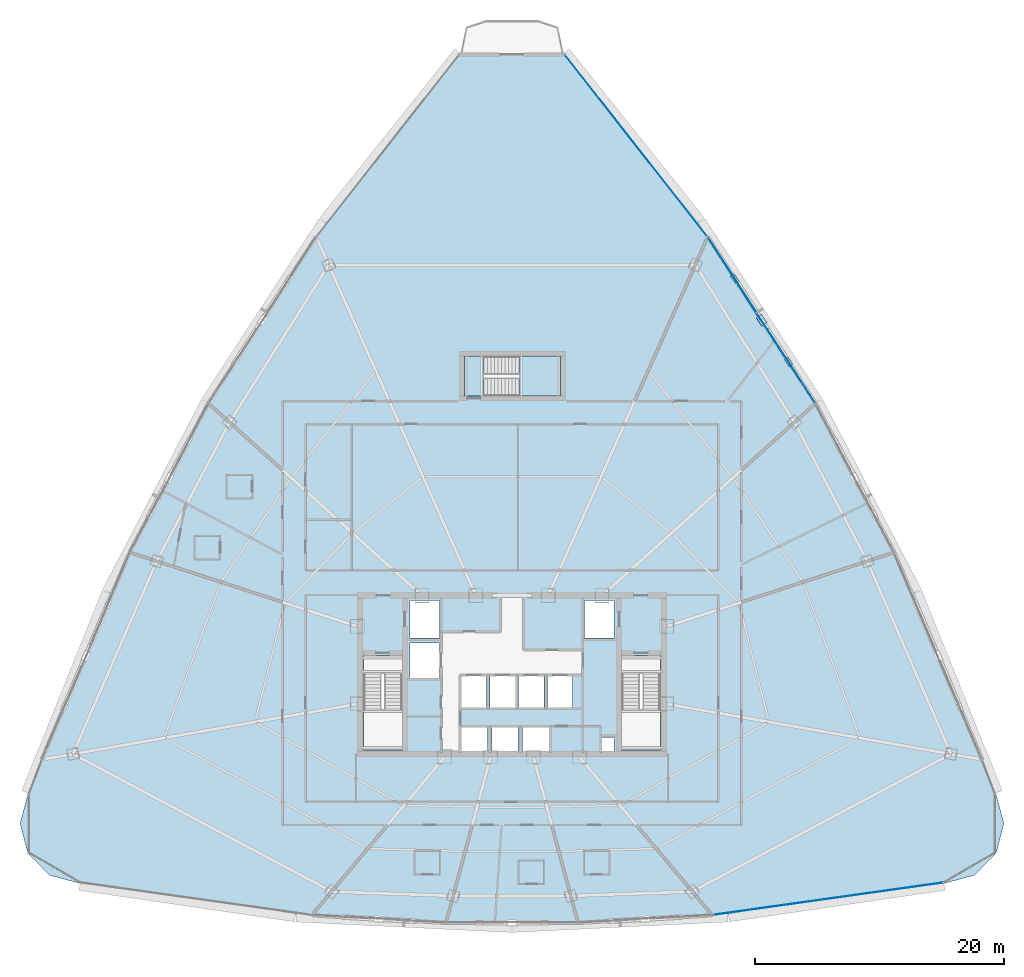
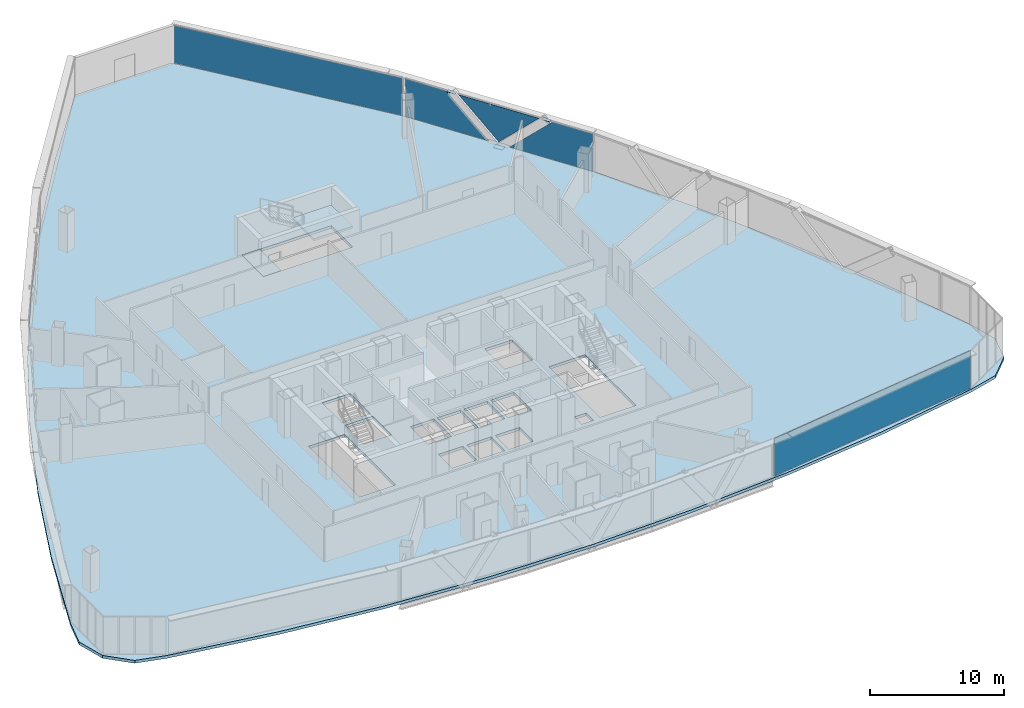
# One storey, part 29 of 40: 8 plates, 3 slabs, 4 elements without a shape of their own.
"""IFC4 building model written with IfcOpenShell, lengths in metres."""

from ifc_helpers import new_model, si_unit, direction, frame, origin, origin_2d, place, context, subcontext, project, spatial, polyline, rectangle, outline, extrude, source, transform, mapped, material, layer, layer_set, type_object, element, aggregate, save


model = new_model("IFC4")

# Units and contexts
model_context = context("Model", 3, precision=1e-05, world=origin(), true_north=direction((0.0, 1.0)))
body_context = subcontext(model_context, "Body", "Model", "MODEL_VIEW")
ifc_project = project(units=[si_unit("LENGTHUNIT", "METRE"), si_unit("AREAUNIT", "SQUARE_METRE"), si_unit("VOLUMEUNIT", "CUBIC_METRE"), si_unit("PLANEANGLEUNIT", "RADIAN"), si_unit("MASSUNIT", "GRAM", prefix="KILO"), si_unit("THERMODYNAMICTEMPERATUREUNIT", "KELVIN"), si_unit("POWERUNIT", "WATT")], contexts=[model_context])

# Site, building, storey
site_placement = place(None, origin())
site = spatial("IfcSite", under=ifc_project, at=site_placement, CompositionType="ELEMENT")
building_placement = place(site_placement, origin())
building = spatial("IfcBuilding", under=site, at=building_placement, Name="Yunzhuo Pagoda Commons", CompositionType="ELEMENT")
storey_placement = place(building_placement, frame((0.0, 0.0, 184.760009765625)))
storey = spatial("IfcBuildingStorey", under=building, at=storey_placement, Name="L46", CompositionType="ELEMENT", Elevation=184.760009765625)

# Curtain wall, plates
ifc_material_1 = material(Name="Anodized aluminium 6063-T6", Category="aluminium")
ifc_layer_1 = layer(ifc_material_1, 0.14990234375)
ifc_layer_set_1 = layer_set([ifc_layer_1], Name="Anodized aluminium 6063-T6")
curtain_wall_type = type_object("IfcCurtainWallType", Name="CW-MID Mid-Zone Ribbon Curtain Wall", PredefinedType="NOTDEFINED", material=ifc_layer_set_1)
curtain_wall_1_placement = place(storey_placement, origin())
curtain_wall_1 = element("IfcCurtainWall", 1, at=curtain_wall_1_placement, inside=storey, type_object=curtain_wall_type, Name="L46 curtain wall CW-L46-F2B4", PredefinedType="NOTDEFINED")
ifc_material_2 = material(Name="Tempered low-e double glazing", Category="glass")
ifc_layer_2 = layer(ifc_material_2, 0.028076171875)
ifc_layer_set_2 = layer_set([ifc_layer_2], Name="Tempered low-e double glazing")
plate_type_1 = type_object("IfcPlateType", Name="CW-MID-P Low-E Double Glazing 28", PredefinedType="CURTAIN_PANEL", material=ifc_layer_set_2)
plate_1_placement = place(storey_placement, frame((70.38720703125, 58.597412109375, 1.77001953125), z_axis=(0.839626850374, 0.543163651335, 0.0), x_axis=(-0.543163651335, 0.839626850374, 0.0)))
plate_1 = element("IfcPlate", 2, at=plate_1_placement, type_object=plate_type_1, Name="CW panel 1.1 lite 1", PredefinedType="CURTAIN_PANEL", context=body_context, shape_type="SweptSolid", body=[
    extrude(outline(polyline([(-3.505126953125, -1.715087890625), (3.505126953125, -1.715087890625), (-0.082763671875, 1.715087890625), (-3.505126953125, 1.715087890625), (-3.505126953125, -1.715087890625)])), origin(), (0.0, 0.0, 1.0), 0.028076171875),
])
plate_2_placement = place(storey_placement, frame((67.98046875, 62.2626953125, 1.87548828125), z_axis=(0.839626850374, 0.543163651335, 0.0), x_axis=(-0.543163651335, 0.839626850374, 0.0)))
plate_2 = element("IfcPlate", 3, at=plate_2_placement, type_object=plate_type_1, Name="CW panel 1.1 lite 2", PredefinedType="CURTAIN_PANEL", context=body_context, shape_type="SweptSolid", body=[
    extrude(outline(polyline([(-3.367431640625, 1.609619140625), (0.0, -1.609619140625), (3.367431640625, 1.609619140625), (-3.367431640625, 1.609619140625)])), origin(), (0.0, 0.0, 1.0), 0.028076171875),
])
plate_3_placement = place(storey_placement, frame((65.624267578125, 65.96044921875, 1.77001953125), z_axis=(0.839626850374, 0.543163651335, 0.0), x_axis=(-0.543163651335, 0.839626850374, 0.0)))
plate_3 = element("IfcPlate", 4, at=plate_3_placement, type_object=plate_type_1, Name="CW panel 1.1 lite 3", PredefinedType="CURTAIN_PANEL", context=body_context, shape_type="SweptSolid", body=[
    extrude(outline(polyline([(-3.505126953125, -1.715087890625), (3.505126953125, -1.715087890625), (3.505126953125, 1.715087890625), (0.082763671875, 1.715087890625), (-3.505126953125, -1.715087890625)])), origin(), (0.0, 0.0, 1.0), 0.028076171875),
])
aggregate(curtain_wall_1, [plate_1, plate_2, plate_3])

# Stair, slabs
ifc_material_3 = material(Name="Concrete C40", Category="concrete")
stair_type = type_object("IfcStairType", Name="ST-C3 North Tower Smokeproof Stair ST3", PredefinedType="HALF_TURN_STAIR", material=ifc_material_3)
stair_placement = place(storey_placement, origin())
stair = element("IfcStair", 5, at=stair_placement, inside=storey, type_object=stair_type, Name="L46 North tower smokeproof stair ST3", PredefinedType="HALF_TURN_STAIR")
ifc_layer_3 = layer(ifc_material_3, 0.2041015625)
ifc_layer_set_3 = layer_set([ifc_layer_3], Name="Concrete C40")
slab_type_1 = type_object("IfcSlabType", Name="SL-LND5 North Landing Slab 204", PredefinedType="LANDING", material=ifc_layer_set_3)
slab_1_placement = place(storey_placement, frame((0.0, 0.0, 1.699951171875)))
slab_1 = element("IfcSlab", 6, at=slab_1_placement, type_object=slab_type_1, Name="ST3 landing 1", PredefinedType="LANDING", context=body_context, shape_type="SweptSolid", body=[
    extrude(outline(polyline([(48.550048828125, 56.199951171875), (51.89990234375, 56.199951171875), (51.89990234375, 59.39990234375), (48.550048828125, 59.39990234375), (48.550048828125, 56.199951171875)])), origin(), (0.0, 0.0, 1.0), 0.199951171875),
])
slab_2_placement = place(storey_placement, frame((0.0, 0.0, -0.199951171875)))
slab_2 = element("IfcSlab", 7, at=slab_2_placement, type_object=slab_type_1, Name="ST3 floor landing L46", PredefinedType="LANDING", context=body_context, shape_type="SweptSolid", body=[
    extrude(outline(polyline([(44.199951171875, 56.199951171875), (45.75, 56.199951171875), (45.75, 59.39990234375), (44.199951171875, 59.39990234375), (44.199951171875, 56.199951171875)])), origin(), (0.0, 0.0, 1.0), 0.199951171875),
])
aggregate(stair, [slab_1, slab_2])

# Slab
ifc_layer_4 = layer(ifc_material_3, 0.260009765625)
ifc_layer_set_4 = layer_set([ifc_layer_4], Name="Concrete C40")
slab_type_2 = type_object("IfcSlabType", Name="SL-TWR Typical Tower Floor Slab 260", PredefinedType="FLOOR", material=ifc_layer_set_4)
slab_3_placement = place(storey_placement, frame((0.0, 0.0, -0.260009765625)))
element("IfcSlab", 8, at=slab_3_placement, inside=storey, type_object=slab_type_2, Name="L46 structural floor slab", PredefinedType="FLOOR", context=body_context, shape_type="SweptSolid", body=[
    extrude(outline(polyline([(12.25390625, 32.49609375), (15.67626953125, 40.45068359375), (19.462890625, 48.1923828125), (23.614013671875, 55.7216796875), (28.129150390625, 63.038330078125), (33.00830078125, 70.142333984375), (38.251953125, 77.03369140625), (43.859619140625, 83.712646484375), (52.140380859375, 83.712646484375), (57.748046875, 77.03369140625), (62.99169921875, 70.142333984375), (67.870849609375, 63.038330078125), (72.385986328125, 55.7216796875), (76.537109375, 48.1923828125), (80.32373046875, 40.45068359375), (83.74609375, 32.49609375), (86.8046875, 24.3291015625), (87.45849609375, 21.929443359375), (86.82177734375, 19.525146484375), (85.06640625, 17.76318359375), (82.664306640625, 17.1181640625), (73.998291015625, 15.64208984375), (65.33203125, 14.587890625), (56.666015625, 13.955322265625), (48.0, 13.74462890625), (39.333984375, 13.955322265625), (30.667724609375, 14.587890625), (22.001708984375, 15.64208984375), (13.335693359375, 17.1181640625), (10.93359375, 17.76318359375), (9.17822265625, 19.525146484375), (8.54150390625, 21.929443359375), (9.1953125, 24.3291015625), (12.25390625, 32.49609375)]), holes=[polyline([(46.050048828125, 29.64990234375), (43.949951171875, 29.64990234375), (43.949951171875, 27.60009765625), (46.050048828125, 27.60009765625), (46.050048828125, 29.64990234375)]), polyline([(48.5, 27.60009765625), (48.5, 29.64990234375), (46.39990234375, 29.64990234375), (46.39990234375, 27.60009765625), (48.5, 27.60009765625)]), polyline([(36.10009765625, 27.800048828125), (39.199951171875, 27.800048828125), (39.199951171875, 35.39990234375), (36.10009765625, 35.39990234375), (36.10009765625, 27.800048828125)]), polyline([(45.969970703125, 31.199951171875), (45.969970703125, 33.800048828125), (43.929931640625, 33.800048828125), (43.929931640625, 31.199951171875), (45.969970703125, 31.199951171875)]), polyline([(48.27001953125, 31.199951171875), (48.27001953125, 33.800048828125), (46.22998046875, 33.800048828125), (46.22998046875, 31.199951171875), (48.27001953125, 31.199951171875)]), polyline([(42.199951171875, 33.60009765625), (42.199951171875, 36.39990234375), (39.800048828125, 36.39990234375), (39.800048828125, 33.60009765625), (42.199951171875, 33.60009765625)]), polyline([(42.199951171875, 36.800048828125), (42.199951171875, 39.800048828125), (39.800048828125, 39.800048828125), (39.800048828125, 36.800048828125), (42.199951171875, 36.800048828125)]), polyline([(56.179931640625, 28.800048828125), (55.179931640625, 28.800048828125), (55.179931640625, 27.699951171875), (56.179931640625, 27.699951171875), (56.179931640625, 28.800048828125)]), polyline([(50.949951171875, 27.60009765625), (50.949951171875, 29.64990234375), (48.85009765625, 29.64990234375), (48.85009765625, 27.60009765625), (50.949951171875, 27.60009765625)]), polyline([(56.800048828125, 27.800048828125), (59.89990234375, 27.800048828125), (59.89990234375, 35.39990234375), (56.800048828125, 35.39990234375), (56.800048828125, 27.800048828125)]), polyline([(50.570068359375, 31.199951171875), (50.570068359375, 33.800048828125), (48.530029296875, 33.800048828125), (48.530029296875, 31.199951171875), (50.570068359375, 31.199951171875)]), polyline([(52.8701171875, 31.199951171875), (52.8701171875, 33.800048828125), (50.830078125, 33.800048828125), (50.830078125, 31.199951171875), (52.8701171875, 31.199951171875)]), polyline([(56.199951171875, 36.800048828125), (56.199951171875, 39.800048828125), (53.800048828125, 39.800048828125), (53.800048828125, 36.800048828125), (56.199951171875, 36.800048828125)]), polyline([(51.89990234375, 56.199951171875), (51.89990234375, 59.39990234375), (44.199951171875, 59.39990234375), (44.199951171875, 56.199951171875), (51.89990234375, 56.199951171875)])]), origin(), (0.0, 0.0, 1.0), 0.260009765625),
])

# Plates
ifc_material_4 = material(Name="Structural steel Q355B", Category="steel")
ifc_layer_5 = layer(ifc_material_4, 0.028076171875)
ifc_layer_set_5 = layer_set([ifc_layer_5], Name="Structural steel Q355B")
plate_type_2 = type_object("IfcPlateType", Name="SP-ND1 Lattice Node Cap Plate 800x500x28", PredefinedType="USERDEFINED", material=ifc_layer_set_5)
shared_shape_1 = source(origin(), body_context, "Body", "SweptSolid", [
    extrude(rectangle(XDim=0.800048828125, YDim=0.5, at=origin_2d()), origin(), (0.0, 0.0, 1.0), 0.028076171875),
])
plate_4_placement = place(storey_placement, frame((68.017333984375, 62.28662109375, -0.27392578125), z_axis=(0.0, 0.0, 1.0), x_axis=(-0.543159795737, 0.839629344589, 0.0)))
element("IfcPlate", 9, at=plate_4_placement, inside=storey, type_object=plate_type_2, Name="L46 diamond node plate F2.3A", ObjectType="STIFFENER_PLATE", PredefinedType="USERDEFINED", context=body_context, shape_type="MappedRepresentation", body=[
    mapped(shared_shape_1, transform((0.0, 0.0, 0.0), scale=1.0)),
])
shared_shape_2 = source(origin(), body_context, "Body", "SweptSolid", [
    extrude(rectangle(XDim=0.699951171875, YDim=0.35009765625, at=origin_2d()), origin(), (0.0, 0.0, 1.0), 0.035888671875),
])
for number, where, z_axis, x_axis, name in (
    (10, (70.176513671875, 58.94921875, 3.501953125), (0.0, 0.0, 1.0), (-0.543159795737, 0.839629344589, 0.0), "L46 setback lattice tie plate F2.3L"),
    (11, (65.8583984375, 65.623779296875, 3.501953125), (0.0, 0.0, 1.0), (-0.543159795737, 0.839629344589, 0.0), "L46 setback lattice tie plate F2.3R"),
):
    element("IfcPlate", number, at=place(storey_placement, frame(where, z_axis=z_axis, x_axis=x_axis)), inside=storey, type_object=plate_type_2, Name=name, ObjectType="STIFFENER_PLATE", PredefinedType="USERDEFINED", context=body_context, shape_type="MappedRepresentation", body=[
        mapped(shared_shape_2, transform((0.0, 0.0, 0.0), scale=1.0)),
    ])

# Curtain wall, plate
curtain_wall_2_placement = place(storey_placement, origin())
curtain_wall_2 = element("IfcCurtainWall", 12, at=curtain_wall_2_placement, inside=storey, type_object=curtain_wall_type, Name="L46 curtain wall CW-L46-F1B5", PredefinedType="NOTDEFINED")
shared_shape_3 = source(origin(), body_context, "Body", "SweptSolid", [
    extrude(rectangle(XDim=18.564453125, YDim=0.028076171875, at=origin_2d()), origin(), (0.0, 0.0, 1.0), 3.429931640625),
])
plate_5_placement = place(storey_placement, frame((73.373046875, 15.88671875, 0.05517578125), z_axis=(0.0, 0.0, 1.0), x_axis=(0.990259634524, 0.139233100351, 0.0)))
plate_5 = element("IfcPlate", 13, at=plate_5_placement, type_object=plate_type_1, Name="CW panel 1.1", PredefinedType="CURTAIN_PANEL", context=body_context, shape_type="MappedRepresentation", body=[
    mapped(shared_shape_3, transform((0.0, 0.0, 0.0), scale=1.0)),
])
aggregate(curtain_wall_2, [plate_5])

curtain_wall_3_placement = place(storey_placement, origin())
curtain_wall_3 = element("IfcCurtainWall", 14, at=curtain_wall_3_placement, inside=storey, type_object=curtain_wall_type, Name="L46 curtain wall CW-L46-F2B5", PredefinedType="NOTDEFINED")
shared_shape_4 = source(origin(), body_context, "Body", "SweptSolid", [
    extrude(rectangle(XDim=18.384765625, YDim=0.028076171875, at=origin_2d()), origin(), (0.0, 0.0, 1.0), 3.429931640625),
])
plate_6_placement = place(storey_placement, frame((57.944091796875, 76.301513671875, 0.05517578125), z_axis=(0.0, 0.0, 1.0), x_axis=(-0.617016460427, 0.786950244655, 0.0)))
plate_6 = element("IfcPlate", 15, at=plate_6_placement, type_object=plate_type_1, Name="CW panel 1.1", PredefinedType="CURTAIN_PANEL", context=body_context, shape_type="MappedRepresentation", body=[
    mapped(shared_shape_4, transform((0.0, 0.0, 0.0), scale=1.0)),
])
aggregate(curtain_wall_3, [plate_6])

save(model, "model.ifc")
